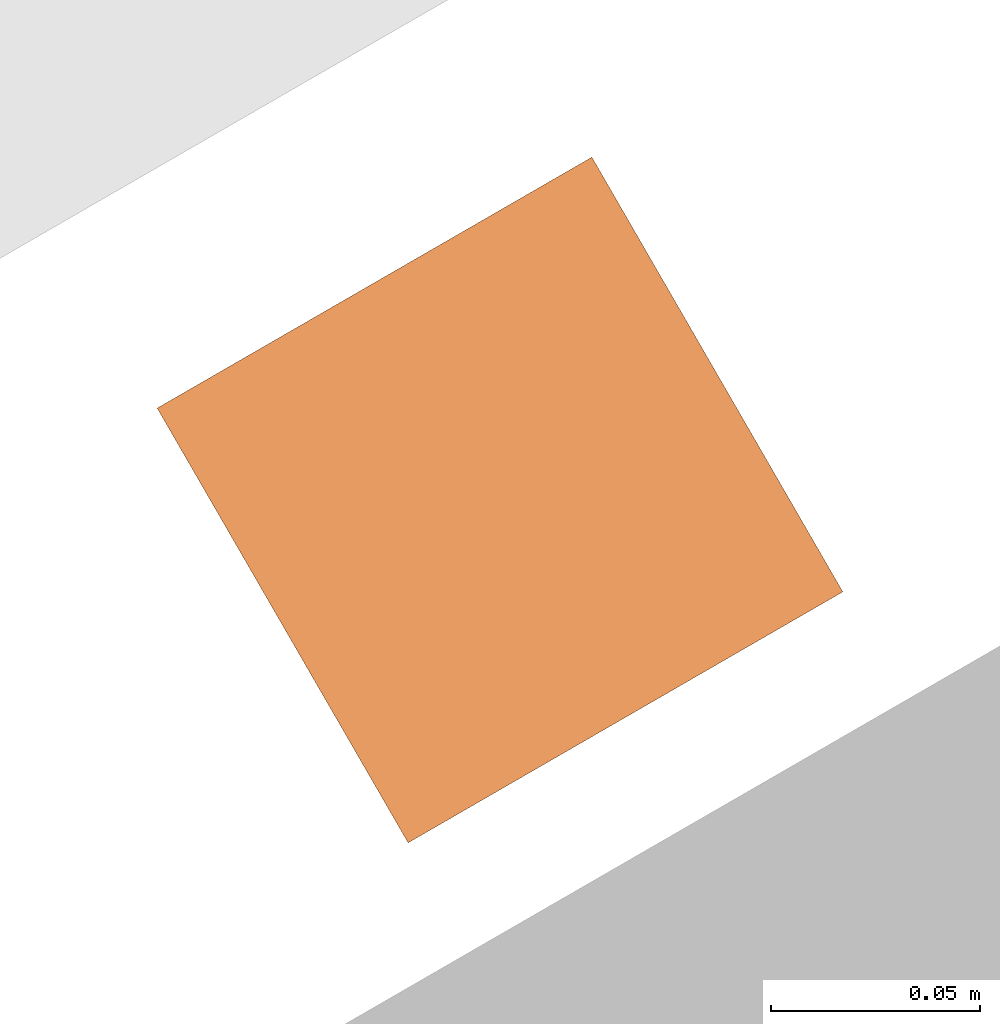
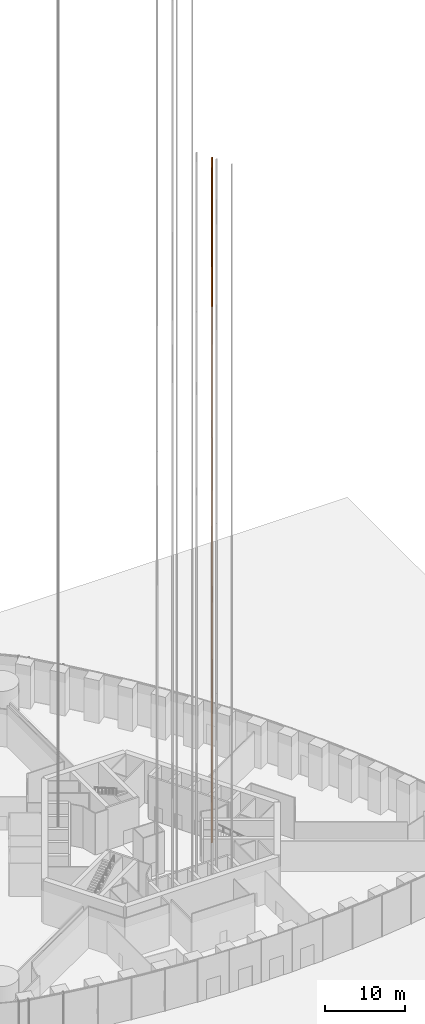
# One storey, part 34 of 43: 1 proxy.
"""IFC4 building model written with IfcOpenShell, lengths in metres."""

from ifc_helpers import new_model, si_unit, direction, frame, origin, origin_2d, place, context, subcontext, project, spatial, rectangle, extrude, element, save


model = new_model("IFC4")

# Units and contexts
model_context = context("Model", 3, precision=1e-05, world=origin(), true_north=direction((0.0, 1.0)))
body_context = subcontext(model_context, "Body", "Model", "MODEL_VIEW")
ifc_project = project(units=[si_unit("LENGTHUNIT", "METRE"), si_unit("AREAUNIT", "SQUARE_METRE"), si_unit("VOLUMEUNIT", "CUBIC_METRE"), si_unit("PLANEANGLEUNIT", "RADIAN"), si_unit("MASSUNIT", "GRAM", prefix="KILO")], contexts=[model_context])

# Site, building, storey
site_placement = place(None, origin())
site = spatial("IfcSite", under=ifc_project, at=site_placement, CompositionType="ELEMENT")
building_placement = place(site_placement, origin())
building = spatial("IfcBuilding", under=site, at=building_placement, Name="Trefoil Bronze Tower", CompositionType="ELEMENT")
storey_placement = place(building_placement, origin())
storey = spatial("IfcBuildingStorey", under=building, at=storey_placement, Name="L00", CompositionType="ELEMENT", Elevation=0.0)

# Proxy
proxy_placement = place(storey_placement, frame((11.064453125, 3.4609375, -1.599853515625), z_axis=(0.0, 0.0, 1.0), x_axis=(-0.5, 0.866025403784, 0.0)))
element("IfcBuildingElementProxy", 1, at=proxy_placement, inside=storey, Name="Lift S2 guide rail 1", ObjectType="LIFT GUIDE RAIL", PredefinedType="USERDEFINED", context=body_context, shape_type="SweptSolid", body=[
    extrude(rectangle(XDim=0.1201171875, YDim=0.1201171875, at=origin_2d()), origin(), (0.0, 0.0, 1.0), 104.14990234375),
])

save(model, "model.ifc")
